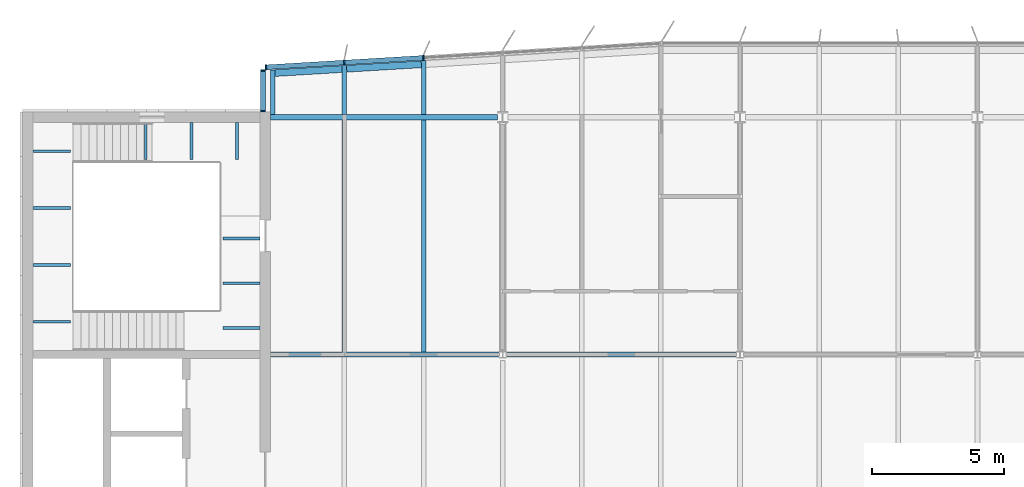
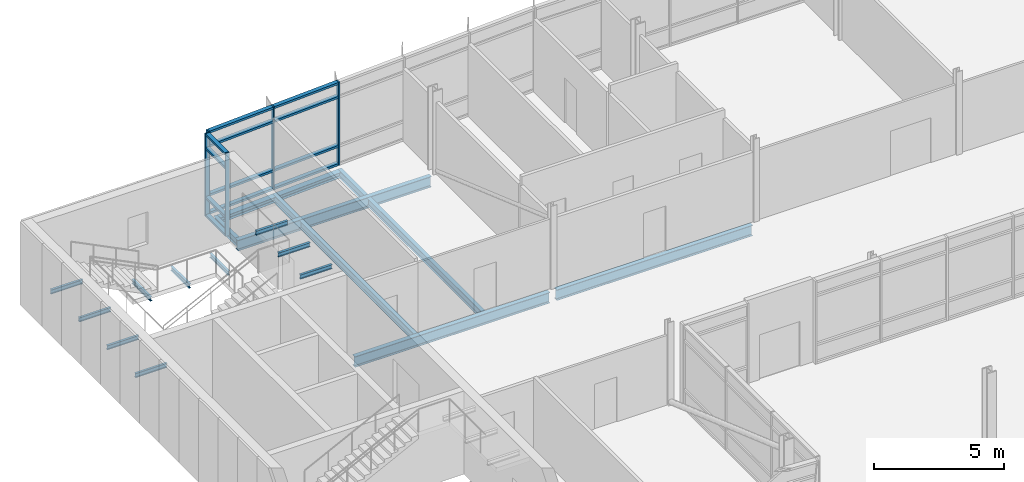
# One storey, part 4 of 19: 20 beams, 17 members, 2 elements without a shape of their own.
"""IFC4 building model written with IfcOpenShell, lengths in metres."""

import ifcopenshell
import ifcopenshell.guid

model = None  # the IFC model being written
_history = None  # IfcOwnerHistory: only IFC2X3 demands one
_inside = {}  # id of a spatial element -> (the spatial element, [elements in it])
_under = {}  # id of a project, library or spatial element -> (it, [spatial elements below it])
_declared = {}  # id of a project -> (the project, [libraries it declares])
_typed = {}  # id of a type object -> (the type object, [elements of that type])
_made_of = {}  # id of a material, layer set ... -> (it, [elements and type objects made of it])


def new_model(schema):
    """Start an empty IFC model of exactly this schema.

    Asked for "IFC4X3", IfcOpenShell would pick the latest addendum, in which some entities
    have other attributes; the version numbers below select the first issue.
    IFC2X3 requires an IfcOwnerHistory on every rooted entity: one is made here for all.
    """
    global model, _history
    if schema == "IFC4X3":
        model = ifcopenshell.file(schema_version=(4, 3, 0, 0))
    else:
        model = ifcopenshell.file(schema=schema)
    _inside.clear()
    _under.clear()
    _declared.clear()
    _typed.clear()
    _made_of.clear()
    _history = None
    if model.schema == "IFC2X3":
        org = make("IfcOrganization", Name="unknown")
        user = make(
            "IfcPersonAndOrganization",
            ThePerson=make("IfcPerson", FamilyName="unknown"),
            TheOrganization=org,
        )
        app = make(
            "IfcApplication",
            ApplicationDeveloper=org,
            Version="unknown",
            ApplicationFullName="unknown",
            ApplicationIdentifier="unknown",
        )
        _history = make(
            "IfcOwnerHistory",
            OwningUser=user,
            OwningApplication=app,
            ChangeAction="ADDED",
            CreationDate=0,
        )
    return model


def make(cls, **values):
    """One entity of the class cls with the attributes given. An attribute that is None is left unset."""
    return model.create_entity(
        cls, **{name: value for name, value in values.items() if value is not None}
    )


def rooted(cls, **values):
    """An entity with a GlobalId (a new one), such as an element, a storey or a relation."""
    return make(cls, GlobalId=ifcopenshell.guid.new(), OwnerHistory=_history, **values)


def si_unit(unit_type, name, prefix=None):
    """IfcSIUnit, for example si_unit("LENGTHUNIT", "METRE", prefix="MILLI")."""
    return make("IfcSIUnit", UnitType=unit_type, Prefix=prefix, Name=name)


def assignment(units):
    """IfcUnitAssignment: the units of a project."""
    return None if units is None else make("IfcUnitAssignment", Units=units)


def point(xyz):
    """IfcCartesianPoint."""
    return None if xyz is None else make("IfcCartesianPoint", Coordinates=xyz)


def direction(xyz):
    """IfcDirection."""
    return None if xyz is None else make("IfcDirection", DirectionRatios=xyz)


def frame(location, z_axis=None, x_axis=None):
    """IfcAxis2Placement3D, a coordinate frame: its origin and axes. An axis left out is left unset."""
    return make(
        "IfcAxis2Placement3D",
        Location=point(location),
        Axis=direction(z_axis),
        RefDirection=direction(x_axis),
    )


def frame_2d(location, x_axis=None):
    """IfcAxis2Placement2D, a coordinate frame in the plane: its origin and x axis."""
    return make(
        "IfcAxis2Placement2D", Location=point(location), RefDirection=direction(x_axis)
    )


def origin():
    """The frame at (0, 0, 0) with its axes left unset."""
    return frame((0.0, 0.0, 0.0))


def origin_2d():
    """The frame at (0, 0) in the plane with its x axis left unset."""
    return frame_2d((0.0, 0.0))


def place(relative_to, where):
    """IfcLocalPlacement: puts the frame where relative to a parent placement (None: the world)."""
    return make(
        "IfcLocalPlacement", PlacementRelTo=relative_to, RelativePlacement=where
    )


def context(
    kind, dimensions, precision=None, world=None, true_north=None, identifier=None
):
    """IfcGeometricRepresentationContext, for example the 3D "Model" context."""
    return make(
        "IfcGeometricRepresentationContext",
        ContextIdentifier=identifier,
        ContextType=kind,
        CoordinateSpaceDimension=dimensions,
        Precision=precision,
        WorldCoordinateSystem=world,
        TrueNorth=true_north,
    )


def subcontext(parent, identifier, kind, view, scale=None):
    """IfcGeometricRepresentationSubContext, for example "Body" below "Model"."""
    return make(
        "IfcGeometricRepresentationSubContext",
        ContextIdentifier=identifier,
        ContextType=kind,
        ParentContext=parent,
        TargetScale=scale,
        TargetView=view,
    )


def project(units=None, contexts=None):
    """IfcProject with its units and contexts."""
    return rooted(
        "IfcProject",
        Name="project",
        RepresentationContexts=contexts,
        UnitsInContext=assignment(units),
    )


def spatial(cls, under=None, at=None, **own):
    """A site, building, storey or space (cls), placed at a placement, below another one or the project."""
    s = rooted(cls, ObjectPlacement=at, **own)
    if under is not None:
        _under.setdefault(under.id(), (under, []))[1].append(s)
    return s


def profile(cls, at=None, kind="AREA", **sizes):
    """A parametric profile (cls). Its sizes go by their IFC names, for example OverallWidth=200.0."""
    return make(cls, ProfileType=kind, Position=at, **sizes)


def rectangle(**sizes):
    """IfcRectangleProfileDef."""
    return profile("IfcRectangleProfileDef", **sizes)


def i_section(**sizes):
    """IfcIShapeProfileDef."""
    return profile("IfcIShapeProfileDef", **sizes)


def extrude(swept, where, along, depth):
    """IfcExtrudedAreaSolid: the profile swept, set in the frame where, extruded along a direction by depth."""
    return make(
        "IfcExtrudedAreaSolid",
        SweptArea=swept,
        Position=where,
        ExtrudedDirection=direction(along),
        Depth=depth,
    )


def shape(context_of_items, identifier, shape_type, items):
    """IfcShapeRepresentation: the items that make up one representation, for example the "Body"."""
    return make(
        "IfcShapeRepresentation",
        ContextOfItems=context_of_items,
        RepresentationIdentifier=identifier,
        RepresentationType=shape_type,
        Items=items,
    )


def material(Name=None, Category=None):
    """IfcMaterial."""
    return make("IfcMaterial", Name=Name, Category=Category)


def material_profile(
    of_material, cross_section, Name=None, Category=None, Priority=None
):
    """IfcMaterialProfile: a cross section and its material."""
    return make(
        "IfcMaterialProfile",
        Name=Name,
        Material=of_material,
        Profile=cross_section,
        Priority=Priority,
        Category=Category,
    )


def profile_set(profiles, Name=None, composite=None):
    """IfcMaterialProfileSet."""
    return make(
        "IfcMaterialProfileSet",
        Name=Name,
        MaterialProfiles=profiles,
        CompositeProfile=composite,
    )


def made_of(thing, what):
    """Note that an element or type object is made of a material, layer set ...; save() writes the relation."""
    if what is not None:
        _made_of.setdefault(what.id(), (what, []))[1].append(thing)
    return thing


def type_object(cls, material=None, **own):
    """A type object (cls), such as IfcWallType, which elements share."""
    return made_of(rooted(cls, **own), material)


def element(
    cls,
    number,
    at=None,
    inside=None,
    cuts=None,
    type_object=None,
    material=None,
    context=None,
    identifier="Body",
    shape_type=None,
    held_by="IfcProductDefinitionShape",
    body=None,
    shapes=None,
    **own,
):
    """One element of the class cls, such as IfcWall. Its Tag is "e" and its number.

    at: its placement. inside: the storey or other place that contains it. cuts: it is an
    opening in that element (IfcRelVoidsElement). A single representation is given by context,
    identifier, shape_type and body (its items); several are given by shapes. held_by: the class
    of the entity that holds the representations. save() writes the other relations.
    """
    e = rooted(cls, Tag="e%d" % number, ObjectPlacement=at, **own)
    if body is not None:
        shapes = [shape(context, identifier, shape_type, body)]
    if shapes is not None:
        e.Representation = make(held_by, Representations=shapes)
    if inside is not None:
        _inside.setdefault(inside.id(), (inside, []))[1].append(e)
    if cuts is not None:
        rooted(
            "IfcRelVoidsElement", RelatingBuildingElement=cuts, RelatedOpeningElement=e
        )
    if type_object is not None:
        _typed.setdefault(type_object.id(), (type_object, []))[1].append(e)
    return made_of(e, material)


def aggregate(whole, parts):
    """IfcRelAggregates: a whole, such as a stair, and the parts it consists of."""
    return rooted("IfcRelAggregates", RelatingObject=whole, RelatedObjects=parts)


def save(model, path):
    """Write the relations noted so far, then the file.

    IfcRelAggregates (storeys below a building ...), IfcRelContainedInSpatialStructure (elements
    in a storey), IfcRelDefinesByType, IfcRelAssociatesMaterial and IfcRelDeclares: one each for
    every whole, place, type object, material and project.
    """
    for whole, parts in _under.values():
        aggregate(whole, parts)
    for where, things in _inside.values():
        rooted(
            "IfcRelContainedInSpatialStructure",
            RelatedElements=things,
            RelatingStructure=where,
        )
    for kind, things in _typed.values():
        rooted("IfcRelDefinesByType", RelatedObjects=things, RelatingType=kind)
    for what, things in _made_of.values():
        rooted("IfcRelAssociatesMaterial", RelatedObjects=things, RelatingMaterial=what)
    for by, libraries in _declared.values():
        rooted("IfcRelDeclares", RelatingContext=by, RelatedDefinitions=libraries)
    model.write(path)


model = new_model("IFC4")

# Units and contexts
model_context = context("Model", 3, precision=1e-05, world=origin(), true_north=direction((0.0, 1.0)))
body_context = subcontext(model_context, "Body", "Model", "MODEL_VIEW")
ifc_project = project(units=[si_unit("LENGTHUNIT", "METRE"), si_unit("AREAUNIT", "SQUARE_METRE"), si_unit("VOLUMEUNIT", "CUBIC_METRE"), si_unit("PLANEANGLEUNIT", "RADIAN"), si_unit("MASSUNIT", "GRAM", prefix="KILO")], contexts=[model_context])

# Site, building, storey
site_placement = place(None, origin())
site = spatial("IfcSite", under=ifc_project, at=site_placement, CompositionType="ELEMENT")
building_placement = place(site_placement, origin())
building = spatial("IfcBuilding", under=site, at=building_placement, Name="Azimuth Sports and Learning Centre", CompositionType="ELEMENT")
storey_placement = place(building_placement, frame((0.0, 0.0, 67.5)))
storey = spatial("IfcBuildingStorey", under=building, at=storey_placement, Name="L15", CompositionType="ELEMENT", Elevation=67.5)

# Beams
ifc_material_1 = material(Name="Steel S355", Category="steel")
ifc_material_profile_1 = material_profile(ifc_material_1, i_section(OverallWidth=0.10009765625, OverallDepth=0.199951171875, WebThickness=0.005615234375, FlangeThickness=0.008544921875, FilletRadius=0.011962890625, at=origin_2d()), Name="IPE 200")
ifc_profile_set_1 = profile_set([ifc_material_profile_1], Name="Steel S355")
beam_type_1 = type_object("IfcBeamType", Name="Beam IPE 200", PredefinedType="BEAM", material=ifc_profile_set_1)
for number, where, z_axis, x_axis, name in (
    (1, (58.473388671875, 116.800048828125, -0.300048828125), (0.0, -1.0, 0.0), (1.0, 0.0, 0.0), "Landing bracket W2 L15 327"),
    (2, (60.199951171875, 116.800048828125, -0.300048828125), (0.0, -1.0, 0.0), (1.0, 0.0, 0.0), "Landing bracket W2 L15 328"),
    (3, (61.9267578125, 116.800048828125, -0.300048828125), (0.0, -1.0, 0.0), (1.0, 0.0, 0.0), "Landing bracket W2 L15 329"),
    (4, (54.199951171875, 109.23876953125, 1.35009765625), (1.0, 0.0, 0.0), (0.0, 1.0, 0.0), "Landing bracket W2 L15 330"),
    (5, (54.199951171875, 111.396240234375, 1.35009765625), (1.0, 0.0, 0.0), (0.0, 1.0, 0.0), "Landing bracket W2 L15 331"),
    (6, (54.199951171875, 113.5537109375, 1.35009765625), (1.0, 0.0, 0.0), (0.0, 1.0, 0.0), "Landing bracket W2 L15 332"),
    (7, (54.199951171875, 115.711181640625, 1.35009765625), (1.0, 0.0, 0.0), (0.0, 1.0, 0.0), "Landing bracket W2 L15 333"),
    (8, (62.800048828125, 109.00830078125, 3.60009765625), (-1.0, 0.0, 0.0), (0.0, -1.0, 0.0), "Landing bracket W2 L15 334"),
    (9, (62.800048828125, 110.705078125, 3.60009765625), (-1.0, 0.0, 0.0), (0.0, -1.0, 0.0), "Landing bracket W2 L15 335"),
    (10, (62.800048828125, 112.401611328125, 3.60009765625), (-1.0, 0.0, 0.0), (0.0, -1.0, 0.0), "Landing bracket W2 L15 336"),
):
    element("IfcBeam", number, at=place(storey_placement, frame(where, z_axis=z_axis, x_axis=x_axis)), inside=storey, type_object=beam_type_1, Name=name, PredefinedType="BEAM", context=body_context, shape_type="SweptSolid", body=[
        extrude(i_section(OverallWidth=0.10009765625, OverallDepth=0.199951171875, WebThickness=0.005615234375, FlangeThickness=0.008544921875, FilletRadius=0.011962890625, at=origin_2d()), origin(), (0.0, 0.0, 1.0), 1.41015625),
    ])
ifc_material_2 = material(Name="Steel S355", Category="steel")
ifc_material_profile_2 = material_profile(ifc_material_2, i_section(OverallWidth=0.199951171875, OverallDepth=0.5, WebThickness=0.01025390625, FlangeThickness=0.01611328125, FilletRadius=0.02099609375, at=origin_2d()), Name="IPE 500")
ifc_profile_set_2 = profile_set([ifc_material_profile_2], Name="Steel S355")
beam_type_2 = type_object("IfcBeamType", Name="Beam IPE 500", PredefinedType="BEAM", material=ifc_profile_set_2)
beam_1_placement = place(storey_placement, frame((63.199951171875, 108.0, -0.3798828125), z_axis=(1.0, 0.0, 0.0), x_axis=(0.0, 1.0, 0.0)))
element("IfcBeam", 11, at=beam_1_placement, inside=storey, type_object=beam_type_2, Name="Tower girder L15", PredefinedType="BEAM", context=body_context, shape_type="SweptSolid", body=[
    extrude(i_section(OverallWidth=0.199951171875, OverallDepth=0.5, WebThickness=0.01025390625, FlangeThickness=0.01611328125, FilletRadius=0.02099609375, at=origin_2d()), origin(), (0.0, 0.0, 1.0), 8.646484375),
])
beam_2_placement = place(storey_placement, frame((72.153564453125, 108.0, -0.3798828125), z_axis=(1.0, 0.0, 0.0), x_axis=(0.0, 1.0, 0.0)))
element("IfcBeam", 12, at=beam_2_placement, inside=storey, type_object=beam_type_2, Name="Tower girder L15", PredefinedType="BEAM", context=body_context, shape_type="SweptSolid", body=[
    extrude(i_section(OverallWidth=0.199951171875, OverallDepth=0.5, WebThickness=0.01025390625, FlangeThickness=0.01611328125, FilletRadius=0.02099609375, at=origin_2d()), origin(), (0.0, 0.0, 1.0), 8.69287109375),
])
beam_3_placement = place(storey_placement, frame((63.199951171875, 117.0, -0.3798828125), z_axis=(1.0, 0.0, 0.0), x_axis=(0.0, 1.0, 0.0)))
element("IfcBeam", 13, at=beam_3_placement, inside=storey, type_object=beam_type_2, Name="Tower girder L15", PredefinedType="BEAM", context=body_context, shape_type="SweptSolid", body=[
    extrude(i_section(OverallWidth=0.199951171875, OverallDepth=0.5, WebThickness=0.01025390625, FlangeThickness=0.01611328125, FilletRadius=0.02099609375, at=origin_2d()), origin(), (0.0, 0.0, 1.0), 8.593994140625),
])
ifc_material_3 = material(Name="Steel S355", Category="steel")
ifc_material_profile_3 = material_profile(ifc_material_3, i_section(OverallWidth=0.169921875, OverallDepth=0.360107421875, WebThickness=0.008056640625, FlangeThickness=0.0126953125, FilletRadius=0.01806640625, at=origin_2d()), Name="IPE 360")
ifc_profile_set_3 = profile_set([ifc_material_profile_3], Name="Steel S355")
beam_type_3 = type_object("IfcBeamType", Name="Cantilever stub IPE 360", PredefinedType="JOIST", material=ifc_profile_set_3)
beam_4_placement = place(storey_placement, frame((63.284912109375, 117.10009765625, -0.31005859375), z_axis=(0.0, 1.0, 0.0), x_axis=(-1.0, 0.0, 0.0)))
element("IfcBeam", 14, at=beam_4_placement, inside=storey, type_object=beam_type_3, Name="Tower cantilever stub", PredefinedType="JOIST", context=body_context, shape_type="SweptSolid", body=[
    extrude(i_section(OverallWidth=0.169921875, OverallDepth=0.360107421875, WebThickness=0.008056640625, FlangeThickness=0.0126953125, FilletRadius=0.01806640625, at=origin_2d()), origin(), (0.0, 0.0, 1.0), 1.697021484375),
])
beam_5_placement = place(storey_placement, frame((66.0, 117.10009765625, -0.31005859375), z_axis=(0.0, 1.0, 0.0), x_axis=(-1.0, 0.0, 0.0)))
element("IfcBeam", 15, at=beam_5_placement, inside=storey, type_object=beam_type_3, Name="Tower cantilever stub", PredefinedType="JOIST", context=body_context, shape_type="SweptSolid", body=[
    extrude(i_section(OverallWidth=0.169921875, OverallDepth=0.360107421875, WebThickness=0.008056640625, FlangeThickness=0.0126953125, FilletRadius=0.01806640625, at=origin_2d()), origin(), (0.0, 0.0, 1.0), 1.85986328125),
])
beam_6_placement = place(storey_placement, frame((69.0, 117.10009765625, -0.31005859375), z_axis=(0.0, 1.0, 0.0), x_axis=(-1.0, 0.0, 0.0)))
element("IfcBeam", 16, at=beam_6_placement, inside=storey, type_object=beam_type_3, Name="Tower cantilever stub", PredefinedType="JOIST", context=body_context, shape_type="SweptSolid", body=[
    extrude(i_section(OverallWidth=0.169921875, OverallDepth=0.360107421875, WebThickness=0.008056640625, FlangeThickness=0.0126953125, FilletRadius=0.01806640625, at=origin_2d()), origin(), (0.0, 0.0, 1.0), 2.039794921875),
])
ifc_material_4 = material(Name="Steel S355", Category="steel")
ifc_material_profile_4 = material_profile(ifc_material_4, i_section(OverallWidth=0.260009765625, OverallDepth=0.25, WebThickness=0.007568359375, FlangeThickness=0.012451171875, FilletRadius=0.02392578125, at=origin_2d()), Name="HEA 260")
ifc_profile_set_4 = profile_set([ifc_material_profile_4], Name="Steel S355")
beam_type_4 = type_object("IfcBeamType", Name="Edge beam HEA 260", PredefinedType="SPANDREL", material=ifc_profile_set_4)
beam_7_placement = place(storey_placement, frame((63.3701171875, 118.672119140625, -0.2548828125), z_axis=(0.998201638043, 0.05994572385, 0.0), x_axis=(-0.05994572385, 0.998201638043, 0.0)))
element("IfcBeam", 17, at=beam_7_placement, inside=storey, type_object=beam_type_4, Name="Tower edge beam", PredefinedType="SPANDREL", context=body_context, shape_type="SweptSolid", body=[
    extrude(i_section(OverallWidth=0.260009765625, OverallDepth=0.25, WebThickness=0.007568359375, FlangeThickness=0.012451171875, FilletRadius=0.02392578125, at=origin_2d()), origin(), (0.0, 0.0, 1.0), 2.549560546875),
])
beam_8_placement = place(storey_placement, frame((66.0849609375, 118.835205078125, -0.2548828125), z_axis=(0.998207521518, 0.059847673176, 0.0), x_axis=(-0.059847673176, 0.998207521518, 0.0)))
element("IfcBeam", 18, at=beam_8_placement, inside=storey, type_object=beam_type_4, Name="Tower edge beam", PredefinedType="SPANDREL", context=body_context, shape_type="SweptSolid", body=[
    extrude(i_section(OverallWidth=0.260009765625, OverallDepth=0.25, WebThickness=0.007568359375, FlangeThickness=0.012451171875, FilletRadius=0.02392578125, at=origin_2d()), origin(), (0.0, 0.0, 1.0), 2.835205078125),
])
ifc_material_5 = material(Name="Steel S355", Category="steel")
ifc_material_profile_5 = material_profile(ifc_material_5, i_section(OverallWidth=0.169921875, OverallDepth=0.360107421875, WebThickness=0.008056640625, FlangeThickness=0.0126953125, FilletRadius=0.01806640625, at=origin_2d()), Name="IPE 360")
ifc_profile_set_5 = profile_set([ifc_material_profile_5], Name="Steel S355")
beam_type_5 = type_object("IfcBeamType", Name="Joist IPE 360", PredefinedType="JOIST", material=ifc_profile_set_5)
for number, where, z_axis, x_axis, name in (
    (19, (66.0, 108.10009765625, -0.31005859375), (0.0, 1.0, 0.0), (-1.0, 0.0, 0.0), "Tower joist"),
    (20, (69.0, 108.10009765625, -0.31005859375), (0.0, 1.0, 0.0), (-1.0, 0.0, 0.0), "Tower joist"),
):
    element("IfcBeam", number, at=place(storey_placement, frame(where, z_axis=z_axis, x_axis=x_axis)), inside=storey, type_object=beam_type_5, Name=name, PredefinedType="JOIST", context=body_context, shape_type="SweptSolid", body=[
        extrude(i_section(OverallWidth=0.169921875, OverallDepth=0.360107421875, WebThickness=0.008056640625, FlangeThickness=0.0126953125, FilletRadius=0.01806640625, at=origin_2d()), origin(), (0.0, 0.0, 1.0), 8.7998046875),
    ])

# Curtain wall, members
ifc_material_6 = material(Name="Aluminium and glass", Category="aluminium")
curtain_wall_type_1 = type_object("IfcCurtainWallType", Name="Curtain wall tower north 180", PredefinedType="NOTDEFINED", material=ifc_material_6)
curtain_wall_1_placement = place(storey_placement, origin())
curtain_wall_1 = element("IfcCurtainWall", 21, at=curtain_wall_1_placement, inside=storey, type_object=curtain_wall_type_1, Name="Curtain wall CW15-013", PredefinedType="NOTDEFINED")
ifc_material_7 = material(Name="Aluminium", Category="aluminium")
ifc_material_profile_6 = material_profile(ifc_material_7, rectangle(XDim=0.179931640625, YDim=0.06005859375, at=origin_2d()), Name="Mullion 60x180")
ifc_profile_set_6 = profile_set([ifc_material_profile_6], Name="Aluminium")
member_type_1 = type_object("IfcMemberType", Name="Mullion 60x180", PredefinedType="MULLION", material=ifc_profile_set_6)
member_1_placement = place(storey_placement, frame((68.99462890625, 119.249755859375, 0.0), z_axis=(0.0, 0.0, 1.0), x_axis=(0.059891991812, -0.998204863401, 0.0)))
member_1 = element("IfcMember", 22, at=member_1_placement, type_object=member_type_1, Name="CW15-013 mullion 4", PredefinedType="MULLION", context=body_context, shape_type="SweptSolid", body=[
    extrude(rectangle(XDim=0.179931640625, YDim=0.06005859375, at=origin_2d()), origin(), (0.0, 0.0, 1.0), 3.89990234375),
])
member_2_placement = place(storey_placement, frame((65.99462890625, 119.06982421875, 0.0), z_axis=(0.0, 0.0, 1.0), x_axis=(0.059891991812, -0.998204863401, 0.0)))
member_2 = element("IfcMember", 23, at=member_2_placement, type_object=member_type_1, Name="CW15-013 mullion 5", PredefinedType="MULLION", context=body_context, shape_type="SweptSolid", body=[
    extrude(rectangle(XDim=0.179931640625, YDim=0.06005859375, at=origin_2d()), origin(), (0.0, 0.0, 1.0), 3.89990234375),
])
member_3_placement = place(storey_placement, frame((63.024658203125, 118.8916015625, 0.0), z_axis=(0.0, 0.0, 1.0), x_axis=(0.059891991812, -0.998204863401, 0.0)))
member_3 = element("IfcMember", 24, at=member_3_placement, type_object=member_type_1, Name="CW15-013 mullion 6", PredefinedType="MULLION", context=body_context, shape_type="SweptSolid", body=[
    extrude(rectangle(XDim=0.179931640625, YDim=0.06005859375, at=origin_2d()), origin(), (0.0, 0.0, 1.0), 3.89990234375),
])

ifc_material_8 = material(Name="Aluminium and glass", Category="aluminium")
curtain_wall_type_2 = type_object("IfcCurtainWallType", Name="Curtain wall tower return 180", PredefinedType="NOTDEFINED", material=ifc_material_8)
curtain_wall_2_placement = place(storey_placement, origin())
curtain_wall_2 = element("IfcCurtainWall", 25, at=curtain_wall_2_placement, inside=storey, type_object=curtain_wall_type_2, Name="Curtain wall CW15-014", PredefinedType="NOTDEFINED")
member_4_placement = place(storey_placement, frame((62.909912109375, 118.77001953125, 0.0), z_axis=(0.0, 0.0, 1.0), x_axis=(1.0, 0.0, 0.0)))
member_4 = element("IfcMember", 26, at=member_4_placement, type_object=member_type_1, Name="CW15-014 mullion 1", PredefinedType="MULLION", context=body_context, shape_type="SweptSolid", body=[
    extrude(rectangle(XDim=0.179931640625, YDim=0.06005859375, at=origin_2d()), origin(), (0.0, 0.0, 1.0), 3.89990234375),
])
member_5_placement = place(storey_placement, frame((62.909912109375, 117.22998046875, 0.0), z_axis=(0.0, 0.0, 1.0), x_axis=(1.0, 0.0, 0.0)))
member_5 = element("IfcMember", 27, at=member_5_placement, type_object=member_type_1, Name="CW15-014 mullion 2", PredefinedType="MULLION", context=body_context, shape_type="SweptSolid", body=[
    extrude(rectangle(XDim=0.179931640625, YDim=0.06005859375, at=origin_2d()), origin(), (0.0, 0.0, 1.0), 3.89990234375),
])

# Member
ifc_material_9 = material(Name="Aluminium", Category="aluminium")
ifc_material_profile_7 = material_profile(ifc_material_9, rectangle(XDim=0.179931640625, YDim=0.10009765625, at=origin_2d()), Name="Transom 100x180")
ifc_profile_set_7 = profile_set([ifc_material_profile_7], Name="Aluminium")
member_type_2 = type_object("IfcMemberType", Name="Transom 100x180", PredefinedType="USERDEFINED", material=ifc_profile_set_7)
member_6_placement = place(storey_placement, frame((68.964599609375, 119.248046875, 0.050048828125), z_axis=(-0.998202465912, -0.059931936792, 0.0), x_axis=(0.059931936792, -0.998202465912, 0.0)))
member_6 = element("IfcMember", 28, at=member_6_placement, type_object=member_type_2, Name="CW15-013 transom 4.1", ObjectType="TRANSOM", PredefinedType="USERDEFINED", context=body_context, shape_type="SweptSolid", body=[
    extrude(rectangle(XDim=0.179931640625, YDim=0.10009765625, at=origin_2d()), origin(), (0.0, 0.0, 1.0), 2.9453125),
])

member_7_placement = place(storey_placement, frame((68.964599609375, 119.248046875, 0.89990234375), z_axis=(-0.998202465912, -0.059931936792, 0.0), x_axis=(0.059931936792, -0.998202465912, 0.0)))
member_7 = element("IfcMember", 29, at=member_7_placement, type_object=member_type_2, Name="CW15-013 transom 4.2", ObjectType="TRANSOM", PredefinedType="USERDEFINED", context=body_context, shape_type="SweptSolid", body=[
    extrude(rectangle(XDim=0.179931640625, YDim=0.10009765625, at=origin_2d()), origin(), (0.0, 0.0, 1.0), 2.9453125),
])

member_8_placement = place(storey_placement, frame((68.964599609375, 119.248046875, 3.199951171875), z_axis=(-0.998202465912, -0.059931936792, 0.0), x_axis=(0.059931936792, -0.998202465912, 0.0)))
member_8 = element("IfcMember", 30, at=member_8_placement, type_object=member_type_2, Name="CW15-013 transom 4.3", ObjectType="TRANSOM", PredefinedType="USERDEFINED", context=body_context, shape_type="SweptSolid", body=[
    extrude(rectangle(XDim=0.179931640625, YDim=0.10009765625, at=origin_2d()), origin(), (0.0, 0.0, 1.0), 2.9453125),
])

member_9_placement = place(storey_placement, frame((68.964599609375, 119.248046875, 3.85009765625), z_axis=(-0.998202465912, -0.059931936792, 0.0), x_axis=(0.059931936792, -0.998202465912, 0.0)))
member_9 = element("IfcMember", 31, at=member_9_placement, type_object=member_type_2, Name="CW15-013 transom 4.4", ObjectType="TRANSOM", PredefinedType="USERDEFINED", context=body_context, shape_type="SweptSolid", body=[
    extrude(rectangle(XDim=0.179931640625, YDim=0.10009765625, at=origin_2d()), origin(), (0.0, 0.0, 1.0), 2.9453125),
])

member_10_placement = place(storey_placement, frame((65.964599609375, 119.068115234375, 0.050048828125), z_axis=(-0.998205846627, -0.059875602377, 0.0), x_axis=(0.059875602377, -0.998205846627, 0.0)))
member_10 = element("IfcMember", 32, at=member_10_placement, type_object=member_type_2, Name="CW15-013 transom 5.1", ObjectType="TRANSOM", PredefinedType="USERDEFINED", context=body_context, shape_type="SweptSolid", body=[
    extrude(rectangle(XDim=0.179931640625, YDim=0.10009765625, at=origin_2d()), origin(), (0.0, 0.0, 1.0), 2.915283203125),
])

member_11_placement = place(storey_placement, frame((65.964599609375, 119.068115234375, 0.89990234375), z_axis=(-0.998205846627, -0.059875602377, 0.0), x_axis=(0.059875602377, -0.998205846627, 0.0)))
member_11 = element("IfcMember", 33, at=member_11_placement, type_object=member_type_2, Name="CW15-013 transom 5.2", ObjectType="TRANSOM", PredefinedType="USERDEFINED", context=body_context, shape_type="SweptSolid", body=[
    extrude(rectangle(XDim=0.179931640625, YDim=0.10009765625, at=origin_2d()), origin(), (0.0, 0.0, 1.0), 2.915283203125),
])

member_12_placement = place(storey_placement, frame((65.964599609375, 119.068115234375, 3.199951171875), z_axis=(-0.998205846627, -0.059875602377, 0.0), x_axis=(0.059875602377, -0.998205846627, 0.0)))
member_12 = element("IfcMember", 34, at=member_12_placement, type_object=member_type_2, Name="CW15-013 transom 5.3", ObjectType="TRANSOM", PredefinedType="USERDEFINED", context=body_context, shape_type="SweptSolid", body=[
    extrude(rectangle(XDim=0.179931640625, YDim=0.10009765625, at=origin_2d()), origin(), (0.0, 0.0, 1.0), 2.915283203125),
])

member_13_placement = place(storey_placement, frame((65.964599609375, 119.068115234375, 3.85009765625), z_axis=(-0.998205846627, -0.059875602377, 0.0), x_axis=(0.059875602377, -0.998205846627, 0.0)))
member_13 = element("IfcMember", 35, at=member_13_placement, type_object=member_type_2, Name="CW15-013 transom 5.4", ObjectType="TRANSOM", PredefinedType="USERDEFINED", context=body_context, shape_type="SweptSolid", body=[
    extrude(rectangle(XDim=0.179931640625, YDim=0.10009765625, at=origin_2d()), origin(), (0.0, 0.0, 1.0), 2.915283203125),
])

aggregate(curtain_wall_1, [member_1, member_2, member_3, member_6, member_7, member_8, member_9, member_10, member_11, member_12, member_13])

member_14_placement = place(storey_placement, frame((62.909912109375, 118.739990234375, 0.050048828125), z_axis=(0.0, -1.0, 0.0), x_axis=(1.0, 0.0, 0.0)))
member_14 = element("IfcMember", 36, at=member_14_placement, type_object=member_type_2, Name="CW15-014 transom 1.1", ObjectType="TRANSOM", PredefinedType="USERDEFINED", context=body_context, shape_type="SweptSolid", body=[
    extrude(rectangle(XDim=0.179931640625, YDim=0.10009765625, at=origin_2d()), origin(), (0.0, 0.0, 1.0), 1.47998046875),
])

member_15_placement = place(storey_placement, frame((62.909912109375, 118.739990234375, 0.89990234375), z_axis=(0.0, -1.0, 0.0), x_axis=(1.0, 0.0, 0.0)))
member_15 = element("IfcMember", 37, at=member_15_placement, type_object=member_type_2, Name="CW15-014 transom 1.2", ObjectType="TRANSOM", PredefinedType="USERDEFINED", context=body_context, shape_type="SweptSolid", body=[
    extrude(rectangle(XDim=0.179931640625, YDim=0.10009765625, at=origin_2d()), origin(), (0.0, 0.0, 1.0), 1.47998046875),
])

member_16_placement = place(storey_placement, frame((62.909912109375, 118.739990234375, 3.199951171875), z_axis=(0.0, -1.0, 0.0), x_axis=(1.0, 0.0, 0.0)))
member_16 = element("IfcMember", 38, at=member_16_placement, type_object=member_type_2, Name="CW15-014 transom 1.3", ObjectType="TRANSOM", PredefinedType="USERDEFINED", context=body_context, shape_type="SweptSolid", body=[
    extrude(rectangle(XDim=0.179931640625, YDim=0.10009765625, at=origin_2d()), origin(), (0.0, 0.0, 1.0), 1.47998046875),
])

member_17_placement = place(storey_placement, frame((62.909912109375, 118.739990234375, 3.85009765625), z_axis=(0.0, -1.0, 0.0), x_axis=(1.0, 0.0, 0.0)))
member_17 = element("IfcMember", 39, at=member_17_placement, type_object=member_type_2, Name="CW15-014 transom 1.4", ObjectType="TRANSOM", PredefinedType="USERDEFINED", context=body_context, shape_type="SweptSolid", body=[
    extrude(rectangle(XDim=0.179931640625, YDim=0.10009765625, at=origin_2d()), origin(), (0.0, 0.0, 1.0), 1.47998046875),
])

aggregate(curtain_wall_2, [member_4, member_5, member_14, member_15, member_16, member_17])

save(model, "model.ifc")
